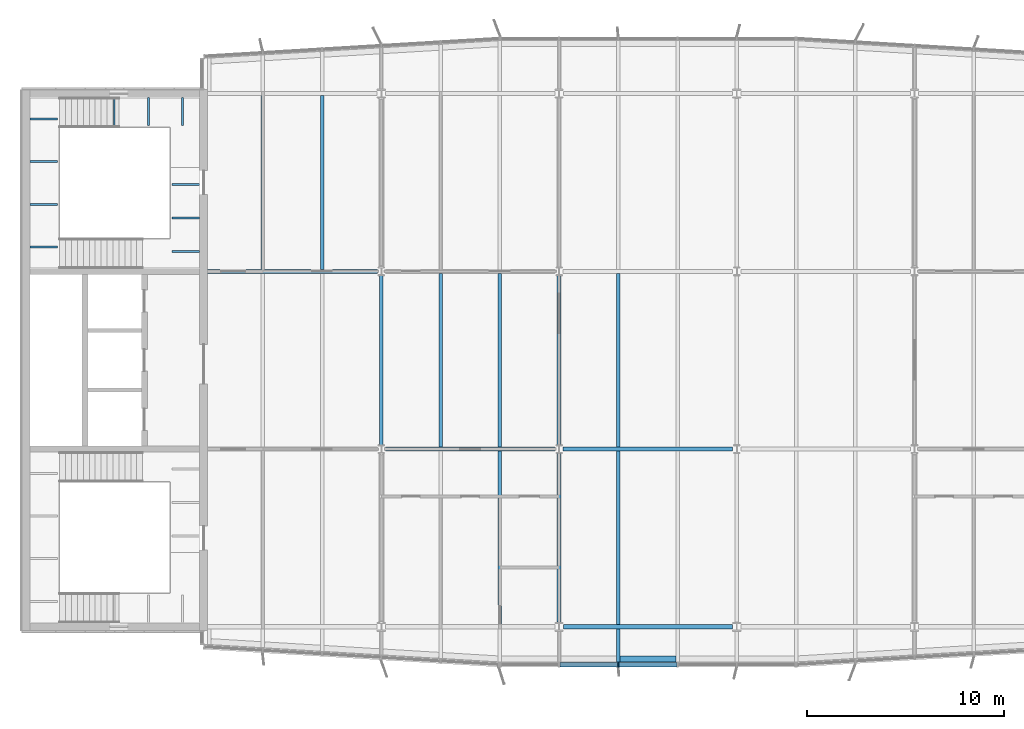
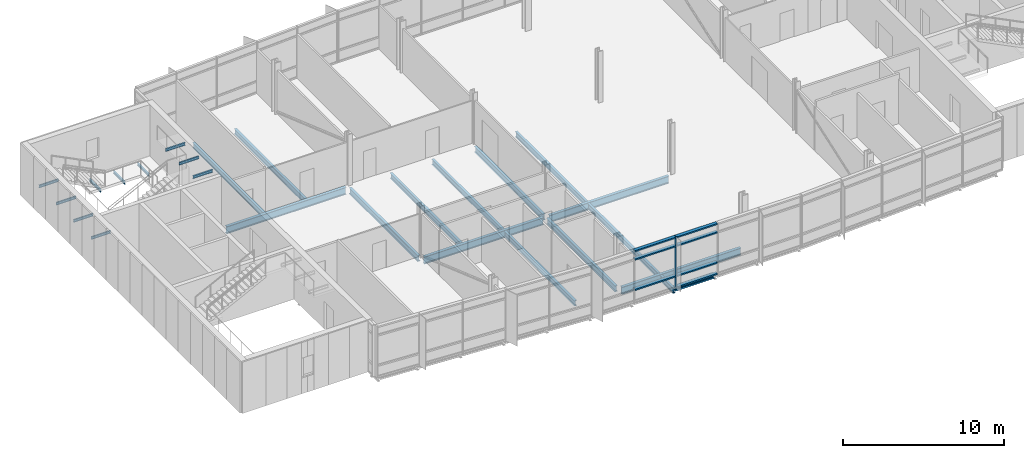
# One storey, part 3 of 20: 26 beams, 8 members, 1 element without a shape of its own.
"""IFC4 building model written with IfcOpenShell, lengths in metres."""

from ifc_helpers import new_model, si_unit, direction, frame, origin, origin_2d, place, context, subcontext, project, spatial, rectangle, i_section, extrude, material, material_profile, profile_set, type_object, element, aggregate, save


model = new_model("IFC4")

# Units and contexts
model_context = context("Model", 3, precision=1e-05, world=origin(), true_north=direction((0.0, 1.0)))
body_context = subcontext(model_context, "Body", "Model", "MODEL_VIEW")
ifc_project = project(units=[si_unit("LENGTHUNIT", "METRE"), si_unit("AREAUNIT", "SQUARE_METRE"), si_unit("VOLUMEUNIT", "CUBIC_METRE"), si_unit("PLANEANGLEUNIT", "RADIAN"), si_unit("MASSUNIT", "GRAM", prefix="KILO")], contexts=[model_context])

# Site, building, storey
site_placement = place(None, origin())
site = spatial("IfcSite", under=ifc_project, at=site_placement, CompositionType="ELEMENT")
building_placement = place(site_placement, origin())
building = spatial("IfcBuilding", under=site, at=building_placement, Name="Azimuth Sports and Learning Centre", CompositionType="ELEMENT")
storey_placement = place(building_placement, frame((0.0, 0.0, 44.10009765625)))
storey = spatial("IfcBuildingStorey", under=building, at=storey_placement, Name="L09", CompositionType="ELEMENT", Elevation=44.10009765625)

# Beams
ifc_material_1 = material(Name="Steel S355", Category="steel")
ifc_material_profile_1 = material_profile(ifc_material_1, i_section(OverallWidth=0.10009765625, OverallDepth=0.199951171875, WebThickness=0.005615234375, FlangeThickness=0.008544921875, FilletRadius=0.011962890625, at=origin_2d()), Name="IPE 200")
ifc_profile_set_1 = profile_set([ifc_material_profile_1], Name="Steel S355")
beam_type_1 = type_object("IfcBeamType", Name="Beam IPE 200", PredefinedType="BEAM", material=ifc_profile_set_1)
for number, where, z_axis, x_axis, name in (
    (1, (58.473388671875, 116.800048828125, -0.300048828125), (0.0, -1.0, 0.0), (1.0, 0.0, 0.0), "Landing bracket W2 L09 267"),
    (2, (60.199951171875, 116.800048828125, -0.300048828125), (0.0, -1.0, 0.0), (1.0, 0.0, 0.0), "Landing bracket W2 L09 268"),
    (3, (61.9267578125, 116.800048828125, -0.300048828125), (0.0, -1.0, 0.0), (1.0, 0.0, 0.0), "Landing bracket W2 L09 269"),
    (4, (54.199951171875, 109.23876953125, 1.349853515625), (1.0, 0.0, 0.0), (0.0, 1.0, 0.0), "Landing bracket W2 L09 270"),
    (5, (54.199951171875, 111.396240234375, 1.349853515625), (1.0, 0.0, 0.0), (0.0, 1.0, 0.0), "Landing bracket W2 L09 271"),
    (6, (54.199951171875, 113.5537109375, 1.349853515625), (1.0, 0.0, 0.0), (0.0, 1.0, 0.0), "Landing bracket W2 L09 272"),
    (7, (54.199951171875, 115.711181640625, 1.349853515625), (1.0, 0.0, 0.0), (0.0, 1.0, 0.0), "Landing bracket W2 L09 273"),
    (8, (62.800048828125, 109.00830078125, 3.599853515625), (-1.0, 0.0, 0.0), (0.0, -1.0, 0.0), "Landing bracket W2 L09 274"),
    (9, (62.800048828125, 110.705078125, 3.599853515625), (-1.0, 0.0, 0.0), (0.0, -1.0, 0.0), "Landing bracket W2 L09 275"),
    (10, (62.800048828125, 112.401611328125, 3.599853515625), (-1.0, 0.0, 0.0), (0.0, -1.0, 0.0), "Landing bracket W2 L09 276"),
):
    element("IfcBeam", number, at=place(storey_placement, frame(where, z_axis=z_axis, x_axis=x_axis)), inside=storey, type_object=beam_type_1, Name=name, PredefinedType="BEAM", context=body_context, shape_type="SweptSolid", body=[
        extrude(i_section(OverallWidth=0.10009765625, OverallDepth=0.199951171875, WebThickness=0.005615234375, FlangeThickness=0.008544921875, FilletRadius=0.011962890625, at=origin_2d()), origin(), (0.0, 0.0, 1.0), 1.41015625),
    ])
ifc_material_2 = material(Name="Steel S355", Category="steel")
ifc_material_profile_2 = material_profile(ifc_material_2, i_section(OverallWidth=0.18994140625, OverallDepth=0.449951171875, WebThickness=0.009521484375, FlangeThickness=0.0146484375, FilletRadius=0.02099609375, at=origin_2d()), Name="IPE 450")
ifc_profile_set_2 = profile_set([ifc_material_profile_2], Name="Steel S355")
beam_type_2 = type_object("IfcBeamType", Name="Beam IPE 450", PredefinedType="BEAM", material=ifc_profile_set_2)
beam_1_placement = place(storey_placement, frame((72.0, 99.217529296875, -0.35498046875), z_axis=(0.0, 1.0, 0.0), x_axis=(-1.0, 0.0, 0.0)))
element("IfcBeam", 11, at=beam_1_placement, inside=storey, type_object=beam_type_2, Name="Tower tie", PredefinedType="BEAM", context=body_context, shape_type="SweptSolid", body=[
    extrude(i_section(OverallWidth=0.18994140625, OverallDepth=0.449951171875, WebThickness=0.009521484375, FlangeThickness=0.0146484375, FilletRadius=0.02099609375, at=origin_2d()), origin(), (0.0, 0.0, 1.0), 8.56494140625),
])
beam_2_placement = place(storey_placement, frame((81.0, 90.237060546875, -0.35498046875), z_axis=(0.0, 1.0, 0.0), x_axis=(-1.0, 0.0, 0.0)))
element("IfcBeam", 12, at=beam_2_placement, inside=storey, type_object=beam_type_2, Name="Tower tie", PredefinedType="BEAM", context=body_context, shape_type="SweptSolid", body=[
    extrude(i_section(OverallWidth=0.18994140625, OverallDepth=0.449951171875, WebThickness=0.009521484375, FlangeThickness=0.0146484375, FilletRadius=0.02099609375, at=origin_2d()), origin(), (0.0, 0.0, 1.0), 8.54541015625),
])
beam_3_placement = place(storey_placement, frame((81.0, 99.217529296875, -0.35498046875), z_axis=(0.0, 1.0, 0.0), x_axis=(-1.0, 0.0, 0.0)))
element("IfcBeam", 13, at=beam_3_placement, inside=storey, type_object=beam_type_2, Name="Tower tie", PredefinedType="BEAM", context=body_context, shape_type="SweptSolid", body=[
    extrude(i_section(OverallWidth=0.18994140625, OverallDepth=0.449951171875, WebThickness=0.009521484375, FlangeThickness=0.0146484375, FilletRadius=0.02099609375, at=origin_2d()), origin(), (0.0, 0.0, 1.0), 8.56494140625),
])
ifc_material_3 = material(Name="Steel S355", Category="steel")
ifc_material_profile_3 = material_profile(ifc_material_3, i_section(OverallWidth=0.2099609375, OverallDepth=0.550048828125, WebThickness=0.010986328125, FlangeThickness=0.01708984375, FilletRadius=0.02392578125, at=origin_2d()), Name="IPE 550")
ifc_profile_set_3 = profile_set([ifc_material_profile_3], Name="Steel S355")
beam_type_3 = type_object("IfcBeamType", Name="Beam IPE 550", PredefinedType="BEAM", material=ifc_profile_set_3)
beam_4_placement = place(storey_placement, frame((81.2119140625, 90.0, -0.405029296875), z_axis=(1.0, 0.0, 0.0), x_axis=(0.0, 1.0, 0.0)))
element("IfcBeam", 14, at=beam_4_placement, inside=storey, type_object=beam_type_3, Name="Tower girder L09", PredefinedType="BEAM", context=body_context, shape_type="SweptSolid", body=[
    extrude(i_section(OverallWidth=0.2099609375, OverallDepth=0.550048828125, WebThickness=0.010986328125, FlangeThickness=0.01708984375, FilletRadius=0.02392578125, at=origin_2d()), origin(), (0.0, 0.0, 1.0), 8.576171875),
])
for number, where, z_axis, x_axis, name in (
    (15, (72.2060546875, 99.0, -0.405029296875), (1.0, 0.0, 0.0), (0.0, 1.0, 0.0), "Tower girder L09"),
    (16, (81.2060546875, 99.0, -0.405029296875), (1.0, 0.0, 0.0), (0.0, 1.0, 0.0), "Tower girder L09"),
):
    element("IfcBeam", number, at=place(storey_placement, frame(where, z_axis=z_axis, x_axis=x_axis)), inside=storey, type_object=beam_type_3, Name=name, PredefinedType="BEAM", context=body_context, shape_type="SweptSolid", body=[
        extrude(i_section(OverallWidth=0.2099609375, OverallDepth=0.550048828125, WebThickness=0.010986328125, FlangeThickness=0.01708984375, FilletRadius=0.02392578125, at=origin_2d()), origin(), (0.0, 0.0, 1.0), 8.587890625),
    ])
beam_5_placement = place(storey_placement, frame((63.199951171875, 108.0, -0.405029296875), z_axis=(1.0, 0.0, 0.0), x_axis=(0.0, 1.0, 0.0)))
element("IfcBeam", 17, at=beam_5_placement, inside=storey, type_object=beam_type_3, Name="Tower girder L09", PredefinedType="BEAM", context=body_context, shape_type="SweptSolid", body=[
    extrude(i_section(OverallWidth=0.2099609375, OverallDepth=0.550048828125, WebThickness=0.010986328125, FlangeThickness=0.01708984375, FilletRadius=0.02392578125, at=origin_2d()), origin(), (0.0, 0.0, 1.0), 8.593994140625),
])
ifc_material_4 = material(Name="Steel S355", Category="steel")
ifc_material_profile_4 = material_profile(ifc_material_4, i_section(OverallWidth=0.179931640625, OverallDepth=0.39990234375, WebThickness=0.008544921875, FlangeThickness=0.013427734375, FilletRadius=0.02099609375, at=origin_2d()), Name="IPE 400")
ifc_profile_set_4 = profile_set([ifc_material_profile_4], Name="Steel S355")
beam_type_4 = type_object("IfcBeamType", Name="Cantilever stub IPE 400", PredefinedType="JOIST", material=ifc_profile_set_4)
beam_6_placement = place(storey_placement, frame((84.0, 89.89501953125, -0.330078125), z_axis=(0.0, -1.0, 0.0), x_axis=(1.0, 0.0, 0.0)))
element("IfcBeam", 18, at=beam_6_placement, inside=storey, type_object=beam_type_4, Name="Tower cantilever stub", PredefinedType="JOIST", context=body_context, shape_type="SweptSolid", body=[
    extrude(i_section(OverallWidth=0.179931640625, OverallDepth=0.39990234375, WebThickness=0.008544921875, FlangeThickness=0.013427734375, FilletRadius=0.02099609375, at=origin_2d()), origin(), (0.0, 0.0, 1.0), 1.675048828125),
])
ifc_material_5 = material(Name="Steel S355", Category="steel")
ifc_material_profile_5 = material_profile(ifc_material_5, i_section(OverallWidth=0.300048828125, OverallDepth=0.2900390625, WebThickness=0.008544921875, FlangeThickness=0.013916015625, FilletRadius=0.027099609375, at=origin_2d()), Name="HEA 300")
ifc_profile_set_5 = profile_set([ifc_material_profile_5], Name="Steel S355")
beam_type_5 = type_object("IfcBeamType", Name="Edge beam HEA 300", PredefinedType="SPANDREL", material=ifc_profile_set_5)
beam_7_placement = place(storey_placement, frame((84.090087890625, 88.3701171875, -0.275146484375), z_axis=(1.0, 0.0, 0.0), x_axis=(0.0, 1.0, 0.0)))
element("IfcBeam", 19, at=beam_7_placement, inside=storey, type_object=beam_type_5, Name="Tower edge beam", PredefinedType="SPANDREL", context=body_context, shape_type="SweptSolid", body=[
    extrude(i_section(OverallWidth=0.300048828125, OverallDepth=0.2900390625, WebThickness=0.008544921875, FlangeThickness=0.013916015625, FilletRadius=0.027099609375, at=origin_2d()), origin(), (0.0, 0.0, 1.0), 2.81982421875),
])
ifc_material_6 = material(Name="Steel S355", Category="steel")
ifc_material_profile_6 = material_profile(ifc_material_6, i_section(OverallWidth=0.179931640625, OverallDepth=0.39990234375, WebThickness=0.008544921875, FlangeThickness=0.013427734375, FilletRadius=0.02099609375, at=origin_2d()), Name="IPE 400")
ifc_profile_set_6 = profile_set([ifc_material_profile_6], Name="Steel S355")
beam_type_6 = type_object("IfcBeamType", Name="Joist IPE 400", PredefinedType="JOIST", material=ifc_profile_set_6)
for number, where, z_axis, x_axis, name in (
    (20, (66.0, 108.10498046875, -0.330078125), (0.0, 1.0, 0.0), (-1.0, 0.0, 0.0), "Tower joist"),
    (21, (69.0, 108.10498046875, -0.330078125), (0.0, 1.0, 0.0), (-1.0, 0.0, 0.0), "Tower joist"),
    (22, (75.0, 99.10498046875, -0.330078125), (0.0, 1.0, 0.0), (-1.0, 0.0, 0.0), "Tower joist"),
    (23, (78.0, 90.10498046875, -0.330078125), (0.0, 1.0, 0.0), (-1.0, 0.0, 0.0), "Tower joist"),
    (24, (78.0, 99.10498046875, -0.330078125), (0.0, 1.0, 0.0), (-1.0, 0.0, 0.0), "Tower joist"),
    (25, (84.0, 90.10498046875, -0.330078125), (0.0, 1.0, 0.0), (-1.0, 0.0, 0.0), "Tower joist"),
    (26, (84.0, 99.10498046875, -0.330078125), (0.0, 1.0, 0.0), (-1.0, 0.0, 0.0), "Tower joist"),
):
    element("IfcBeam", number, at=place(storey_placement, frame(where, z_axis=z_axis, x_axis=x_axis)), inside=storey, type_object=beam_type_6, Name=name, PredefinedType="JOIST", context=body_context, shape_type="SweptSolid", body=[
        extrude(i_section(OverallWidth=0.179931640625, OverallDepth=0.39990234375, WebThickness=0.008544921875, FlangeThickness=0.013427734375, FilletRadius=0.02099609375, at=origin_2d()), origin(), (0.0, 0.0, 1.0), 8.7900390625),
    ])

# Curtain wall, members
ifc_material_7 = material(Name="Aluminium and glass", Category="aluminium")
curtain_wall_type = type_object("IfcCurtainWallType", Name="Curtain wall tower south 240", PredefinedType="NOTDEFINED", material=ifc_material_7)
curtain_wall_placement = place(storey_placement, origin())
curtain_wall = element("IfcCurtainWall", 27, at=curtain_wall_placement, inside=storey, type_object=curtain_wall_type, Name="Curtain wall CW09-003", PredefinedType="NOTDEFINED")
ifc_material_8 = material(Name="Aluminium", Category="aluminium")
ifc_material_profile_7 = material_profile(ifc_material_8, rectangle(XDim=0.239990234375, YDim=0.070068359375, at=origin_2d()), Name="Mullion 70x240")
ifc_profile_set_7 = profile_set([ifc_material_profile_7], Name="Aluminium")
member_type_1 = type_object("IfcMemberType", Name="Mullion 70x240", PredefinedType="MULLION", material=ifc_profile_set_7)
member_1_placement = place(storey_placement, frame((84.0, 88.080078125, 0.0), z_axis=(0.0, 0.0, 1.0), x_axis=(0.0, 1.0, 0.0)))
member_1 = element("IfcMember", 28, at=member_1_placement, type_object=member_type_1, Name="CW09-003 mullion 3", PredefinedType="MULLION", context=body_context, shape_type="SweptSolid", body=[
    extrude(rectangle(XDim=0.239990234375, YDim=0.070068359375, at=origin_2d()), origin(), (0.0, 0.0, 1.0), 3.89990234375),
])
ifc_material_9 = material(Name="Aluminium", Category="aluminium")
ifc_material_profile_8 = material_profile(ifc_material_9, rectangle(XDim=0.239990234375, YDim=0.10009765625, at=origin_2d()), Name="Transom 100x240")
ifc_profile_set_8 = profile_set([ifc_material_profile_8], Name="Aluminium")
member_type_2 = type_object("IfcMemberType", Name="Transom 100x240", PredefinedType="USERDEFINED", material=ifc_profile_set_8)
member_2_placement = place(storey_placement, frame((81.034912109375, 88.080078125, 0.89990234375), z_axis=(1.0, 0.0, 0.0), x_axis=(0.0, 1.0, 0.0)))
member_2 = element("IfcMember", 29, at=member_2_placement, type_object=member_type_2, Name="CW09-003 transom 2.2", ObjectType="TRANSOM", PredefinedType="USERDEFINED", context=body_context, shape_type="SweptSolid", body=[
    extrude(rectangle(XDim=0.239990234375, YDim=0.10009765625, at=origin_2d()), origin(), (0.0, 0.0, 1.0), 2.93017578125),
])
member_3_placement = place(storey_placement, frame((81.034912109375, 88.080078125, 3.199951171875), z_axis=(1.0, 0.0, 0.0), x_axis=(0.0, 1.0, 0.0)))
member_3 = element("IfcMember", 30, at=member_3_placement, type_object=member_type_2, Name="CW09-003 transom 2.3", ObjectType="TRANSOM", PredefinedType="USERDEFINED", context=body_context, shape_type="SweptSolid", body=[
    extrude(rectangle(XDim=0.239990234375, YDim=0.10009765625, at=origin_2d()), origin(), (0.0, 0.0, 1.0), 2.93017578125),
])
member_4_placement = place(storey_placement, frame((81.034912109375, 88.080078125, 3.849853515625), z_axis=(1.0, 0.0, 0.0), x_axis=(0.0, 1.0, 0.0)))
member_4 = element("IfcMember", 31, at=member_4_placement, type_object=member_type_2, Name="CW09-003 transom 2.4", ObjectType="TRANSOM", PredefinedType="USERDEFINED", context=body_context, shape_type="SweptSolid", body=[
    extrude(rectangle(XDim=0.239990234375, YDim=0.10009765625, at=origin_2d()), origin(), (0.0, 0.0, 1.0), 2.93017578125),
])
member_5_placement = place(storey_placement, frame((84.034912109375, 88.080078125, 0.0498046875), z_axis=(1.0, 0.0, 0.0), x_axis=(0.0, 1.0, 0.0)))
member_5 = element("IfcMember", 32, at=member_5_placement, type_object=member_type_2, Name="CW09-003 transom 3.1", ObjectType="TRANSOM", PredefinedType="USERDEFINED", context=body_context, shape_type="SweptSolid", body=[
    extrude(rectangle(XDim=0.239990234375, YDim=0.10009765625, at=origin_2d()), origin(), (0.0, 0.0, 1.0), 2.93017578125),
])
member_6_placement = place(storey_placement, frame((84.034912109375, 88.080078125, 0.89990234375), z_axis=(1.0, 0.0, 0.0), x_axis=(0.0, 1.0, 0.0)))
member_6 = element("IfcMember", 33, at=member_6_placement, type_object=member_type_2, Name="CW09-003 transom 3.2", ObjectType="TRANSOM", PredefinedType="USERDEFINED", context=body_context, shape_type="SweptSolid", body=[
    extrude(rectangle(XDim=0.239990234375, YDim=0.10009765625, at=origin_2d()), origin(), (0.0, 0.0, 1.0), 2.93017578125),
])
member_7_placement = place(storey_placement, frame((84.034912109375, 88.080078125, 3.199951171875), z_axis=(1.0, 0.0, 0.0), x_axis=(0.0, 1.0, 0.0)))
member_7 = element("IfcMember", 34, at=member_7_placement, type_object=member_type_2, Name="CW09-003 transom 3.3", ObjectType="TRANSOM", PredefinedType="USERDEFINED", context=body_context, shape_type="SweptSolid", body=[
    extrude(rectangle(XDim=0.239990234375, YDim=0.10009765625, at=origin_2d()), origin(), (0.0, 0.0, 1.0), 2.93017578125),
])
member_8_placement = place(storey_placement, frame((84.034912109375, 88.080078125, 3.849853515625), z_axis=(1.0, 0.0, 0.0), x_axis=(0.0, 1.0, 0.0)))
member_8 = element("IfcMember", 35, at=member_8_placement, type_object=member_type_2, Name="CW09-003 transom 3.4", ObjectType="TRANSOM", PredefinedType="USERDEFINED", context=body_context, shape_type="SweptSolid", body=[
    extrude(rectangle(XDim=0.239990234375, YDim=0.10009765625, at=origin_2d()), origin(), (0.0, 0.0, 1.0), 2.93017578125),
])
aggregate(curtain_wall, [member_1, member_2, member_3, member_4, member_5, member_6, member_7, member_8])

save(model, "model.ifc")
